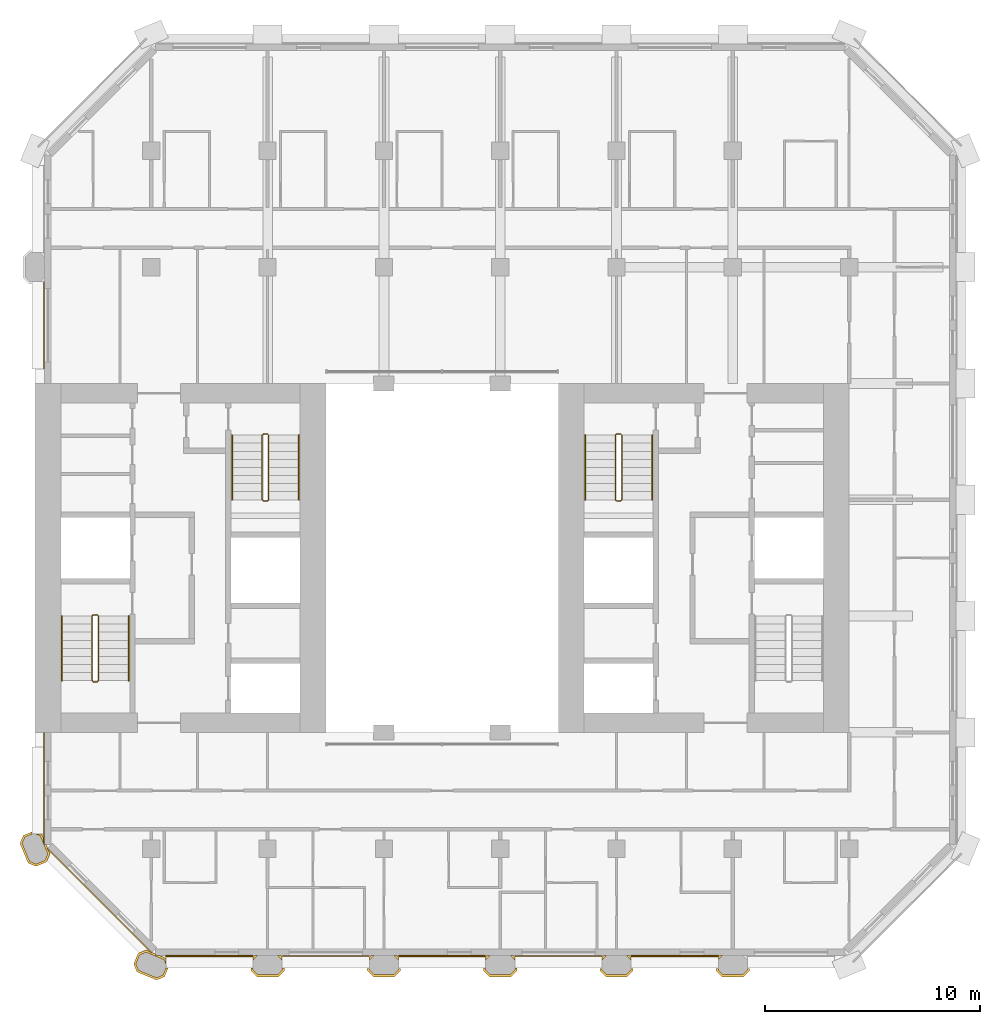
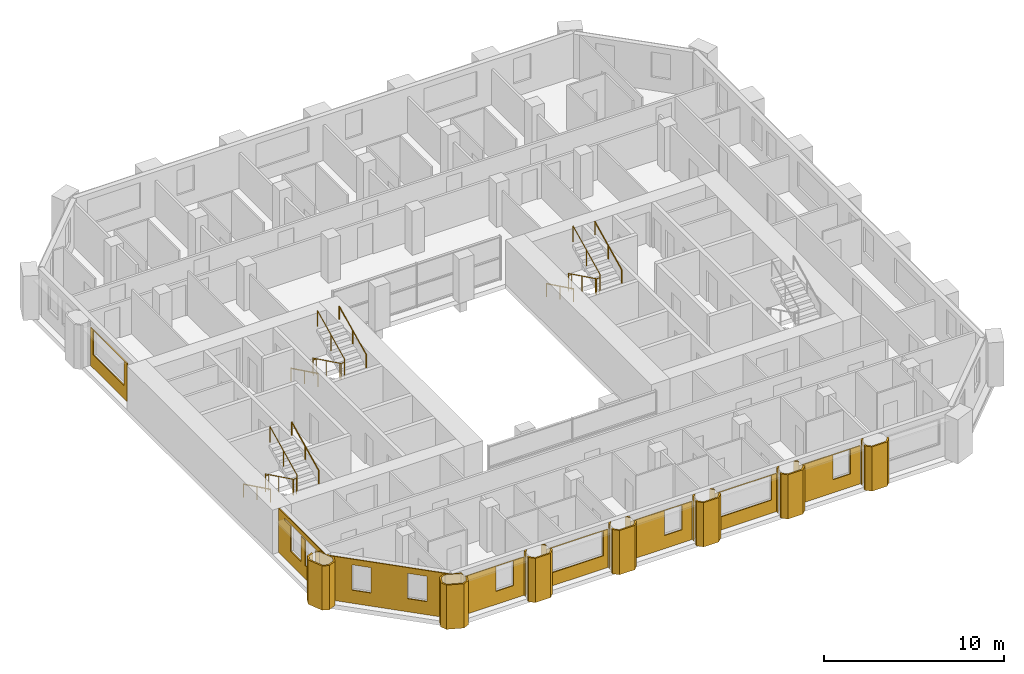
# One storey, part 10 of 12: 24 coverings, 9 railings.
"""IFC4 building model written with IfcOpenShell, lengths in metres."""

import ifcopenshell
import ifcopenshell.guid

model = None  # the IFC model being written
_history = None  # IfcOwnerHistory: only IFC2X3 demands one
_inside = {}  # id of a spatial element -> (the spatial element, [elements in it])
_under = {}  # id of a project, library or spatial element -> (it, [spatial elements below it])
_declared = {}  # id of a project -> (the project, [libraries it declares])
_typed = {}  # id of a type object -> (the type object, [elements of that type])
_made_of = {}  # id of a material, layer set ... -> (it, [elements and type objects made of it])


def new_model(schema):
    """Start an empty IFC model of exactly this schema.

    Asked for "IFC4X3", IfcOpenShell would pick the latest addendum, in which some entities
    have other attributes; the version numbers below select the first issue.
    IFC2X3 requires an IfcOwnerHistory on every rooted entity: one is made here for all.
    """
    global model, _history
    if schema == "IFC4X3":
        model = ifcopenshell.file(schema_version=(4, 3, 0, 0))
    else:
        model = ifcopenshell.file(schema=schema)
    _inside.clear()
    _under.clear()
    _declared.clear()
    _typed.clear()
    _made_of.clear()
    _history = None
    if model.schema == "IFC2X3":
        org = make("IfcOrganization", Name="unknown")
        user = make(
            "IfcPersonAndOrganization",
            ThePerson=make("IfcPerson", FamilyName="unknown"),
            TheOrganization=org,
        )
        app = make(
            "IfcApplication",
            ApplicationDeveloper=org,
            Version="unknown",
            ApplicationFullName="unknown",
            ApplicationIdentifier="unknown",
        )
        _history = make(
            "IfcOwnerHistory",
            OwningUser=user,
            OwningApplication=app,
            ChangeAction="ADDED",
            CreationDate=0,
        )
    return model


def make(cls, **values):
    """One entity of the class cls with the attributes given. An attribute that is None is left unset."""
    return model.create_entity(
        cls, **{name: value for name, value in values.items() if value is not None}
    )


def rooted(cls, **values):
    """An entity with a GlobalId (a new one), such as an element, a storey or a relation."""
    return make(cls, GlobalId=ifcopenshell.guid.new(), OwnerHistory=_history, **values)


def si_unit(unit_type, name, prefix=None):
    """IfcSIUnit, for example si_unit("LENGTHUNIT", "METRE", prefix="MILLI")."""
    return make("IfcSIUnit", UnitType=unit_type, Prefix=prefix, Name=name)


def assignment(units):
    """IfcUnitAssignment: the units of a project."""
    return None if units is None else make("IfcUnitAssignment", Units=units)


def point(xyz):
    """IfcCartesianPoint."""
    return None if xyz is None else make("IfcCartesianPoint", Coordinates=xyz)


def direction(xyz):
    """IfcDirection."""
    return None if xyz is None else make("IfcDirection", DirectionRatios=xyz)


def frame(location, z_axis=None, x_axis=None):
    """IfcAxis2Placement3D, a coordinate frame: its origin and axes. An axis left out is left unset."""
    return make(
        "IfcAxis2Placement3D",
        Location=point(location),
        Axis=direction(z_axis),
        RefDirection=direction(x_axis),
    )


def frame_2d(location, x_axis=None):
    """IfcAxis2Placement2D, a coordinate frame in the plane: its origin and x axis."""
    return make(
        "IfcAxis2Placement2D", Location=point(location), RefDirection=direction(x_axis)
    )


def origin():
    """The frame at (0, 0, 0) with its axes left unset."""
    return frame((0.0, 0.0, 0.0))


def origin_2d():
    """The frame at (0, 0) in the plane with its x axis left unset."""
    return frame_2d((0.0, 0.0))


def place(relative_to, where):
    """IfcLocalPlacement: puts the frame where relative to a parent placement (None: the world)."""
    return make(
        "IfcLocalPlacement", PlacementRelTo=relative_to, RelativePlacement=where
    )


def context(
    kind, dimensions, precision=None, world=None, true_north=None, identifier=None
):
    """IfcGeometricRepresentationContext, for example the 3D "Model" context."""
    return make(
        "IfcGeometricRepresentationContext",
        ContextIdentifier=identifier,
        ContextType=kind,
        CoordinateSpaceDimension=dimensions,
        Precision=precision,
        WorldCoordinateSystem=world,
        TrueNorth=true_north,
    )


def subcontext(parent, identifier, kind, view, scale=None):
    """IfcGeometricRepresentationSubContext, for example "Body" below "Model"."""
    return make(
        "IfcGeometricRepresentationSubContext",
        ContextIdentifier=identifier,
        ContextType=kind,
        ParentContext=parent,
        TargetScale=scale,
        TargetView=view,
    )


def project(units=None, contexts=None):
    """IfcProject with its units and contexts."""
    return rooted(
        "IfcProject",
        Name="project",
        RepresentationContexts=contexts,
        UnitsInContext=assignment(units),
    )


def spatial(cls, under=None, at=None, **own):
    """A site, building, storey or space (cls), placed at a placement, below another one or the project."""
    s = rooted(cls, ObjectPlacement=at, **own)
    if under is not None:
        _under.setdefault(under.id(), (under, []))[1].append(s)
    return s


def polyline(points):
    """IfcPolyline through the points."""
    return make("IfcPolyline", Points=[point(p) for p in points])


def profile(cls, at=None, kind="AREA", **sizes):
    """A parametric profile (cls). Its sizes go by their IFC names, for example OverallWidth=200.0."""
    return make(cls, ProfileType=kind, Position=at, **sizes)


def circle(**sizes):
    """IfcCircleProfileDef."""
    return profile("IfcCircleProfileDef", **sizes)


def outline(outer, holes=None, kind="AREA"):
    """IfcArbitraryClosedProfileDef: a profile drawn as a closed curve; with holes, ...WithVoids."""
    if holes is None:
        return make("IfcArbitraryClosedProfileDef", ProfileType=kind, OuterCurve=outer)
    return make(
        "IfcArbitraryProfileDefWithVoids",
        ProfileType=kind,
        OuterCurve=outer,
        InnerCurves=holes,
    )


def extrude(swept, where, along, depth):
    """IfcExtrudedAreaSolid: the profile swept, set in the frame where, extruded along a direction by depth."""
    return make(
        "IfcExtrudedAreaSolid",
        SweptArea=swept,
        Position=where,
        ExtrudedDirection=direction(along),
        Depth=depth,
    )


def shape(context_of_items, identifier, shape_type, items):
    """IfcShapeRepresentation: the items that make up one representation, for example the "Body"."""
    return make(
        "IfcShapeRepresentation",
        ContextOfItems=context_of_items,
        RepresentationIdentifier=identifier,
        RepresentationType=shape_type,
        Items=items,
    )


def material(Name=None, Category=None):
    """IfcMaterial."""
    return make("IfcMaterial", Name=Name, Category=Category)


def layer(
    of_material, thickness, ventilated=None, Name=None, Category=None, Priority=None
):
    """IfcMaterialLayer: one layer of a wall or slab, of a material (None: an air gap)."""
    return make(
        "IfcMaterialLayer",
        Material=of_material,
        LayerThickness=thickness,
        IsVentilated=ventilated,
        Name=Name,
        Category=Category,
        Priority=Priority,
    )


def layer_set(layers, Name=None):
    """IfcMaterialLayerSet."""
    return make("IfcMaterialLayerSet", MaterialLayers=layers, LayerSetName=Name)


def made_of(thing, what):
    """Note that an element or type object is made of a material, layer set ...; save() writes the relation."""
    if what is not None:
        _made_of.setdefault(what.id(), (what, []))[1].append(thing)
    return thing


def type_object(cls, material=None, **own):
    """A type object (cls), such as IfcWallType, which elements share."""
    return made_of(rooted(cls, **own), material)


def element(
    cls,
    number,
    at=None,
    inside=None,
    cuts=None,
    type_object=None,
    material=None,
    context=None,
    identifier="Body",
    shape_type=None,
    held_by="IfcProductDefinitionShape",
    body=None,
    shapes=None,
    **own,
):
    """One element of the class cls, such as IfcWall. Its Tag is "e" and its number.

    at: its placement. inside: the storey or other place that contains it. cuts: it is an
    opening in that element (IfcRelVoidsElement). A single representation is given by context,
    identifier, shape_type and body (its items); several are given by shapes. held_by: the class
    of the entity that holds the representations. save() writes the other relations.
    """
    e = rooted(cls, Tag="e%d" % number, ObjectPlacement=at, **own)
    if body is not None:
        shapes = [shape(context, identifier, shape_type, body)]
    if shapes is not None:
        e.Representation = make(held_by, Representations=shapes)
    if inside is not None:
        _inside.setdefault(inside.id(), (inside, []))[1].append(e)
    if cuts is not None:
        rooted(
            "IfcRelVoidsElement", RelatingBuildingElement=cuts, RelatedOpeningElement=e
        )
    if type_object is not None:
        _typed.setdefault(type_object.id(), (type_object, []))[1].append(e)
    return made_of(e, material)


def aggregate(whole, parts):
    """IfcRelAggregates: a whole, such as a stair, and the parts it consists of."""
    return rooted("IfcRelAggregates", RelatingObject=whole, RelatedObjects=parts)


def save(model, path):
    """Write the relations noted so far, then the file.

    IfcRelAggregates (storeys below a building ...), IfcRelContainedInSpatialStructure (elements
    in a storey), IfcRelDefinesByType, IfcRelAssociatesMaterial and IfcRelDeclares: one each for
    every whole, place, type object, material and project.
    """
    for whole, parts in _under.values():
        aggregate(whole, parts)
    for where, things in _inside.values():
        rooted(
            "IfcRelContainedInSpatialStructure",
            RelatedElements=things,
            RelatingStructure=where,
        )
    for kind, things in _typed.values():
        rooted("IfcRelDefinesByType", RelatedObjects=things, RelatingType=kind)
    for what, things in _made_of.values():
        rooted("IfcRelAssociatesMaterial", RelatedObjects=things, RelatingMaterial=what)
    for by, libraries in _declared.values():
        rooted("IfcRelDeclares", RelatingContext=by, RelatedDefinitions=libraries)
    model.write(path)


model = new_model("IFC4")

# Units and contexts
model_context = context("Model", 3, precision=1e-05, world=origin(), true_north=direction((0.0, 1.0)))
body_context = subcontext(model_context, "Body", "Model", "MODEL_VIEW")
ifc_project = project(units=[si_unit("LENGTHUNIT", "METRE"), si_unit("AREAUNIT", "SQUARE_METRE"), si_unit("VOLUMEUNIT", "CUBIC_METRE"), si_unit("PLANEANGLEUNIT", "RADIAN"), si_unit("MASSUNIT", "GRAM", prefix="KILO")], contexts=[model_context])

# Site, building, storey
site_placement = place(None, origin())
site = spatial("IfcSite", under=ifc_project, at=site_placement, CompositionType="ELEMENT")
building_placement = place(site_placement, origin())
building = spatial("IfcBuilding", under=site, at=building_placement, Name="Tabaq Tower and Sports Hall", CompositionType="ELEMENT")
storey_placement = place(building_placement, frame((0.0, 0.0, 184.0)))
storey = spatial("IfcBuildingStorey", under=building, at=storey_placement, Name="L44", CompositionType="ELEMENT", Elevation=184.0)

# Coverings
ifc_material_1 = material(Name="Precast concrete C60/75", Category="concrete")
ifc_layer_1 = layer(ifc_material_1, 0.10009765625)
ifc_layer_set_1 = layer_set([ifc_layer_1], Name="Column cladding 100")
covering_type_1 = type_object("IfcCoveringType", Name="Column cladding 100", PredefinedType="CLADDING", material=ifc_layer_set_1)
covering_1_placement = place(storey_placement, origin())
element("IfcCovering", 1, at=covering_1_placement, inside=storey, type_object=covering_type_1, Name="Column cladding L44 PC-2C-H2", PredefinedType="CLADDING", context=body_context, shape_type="SweptSolid", body=[
    extrude(outline(polyline([(5.450439453125, 9.982421875), (5.080078125, 10.1357421875), (4.7041015625, 11.04345703125), (4.857421875, 11.413818359375), (5.249755859375, 11.576171875), (5.249755859375, 11.474609375), (5.26416015625, 11.474609375), (4.93359375, 11.337646484375), (4.811767578125, 11.04345703125), (5.15625, 10.2119140625), (5.450439453125, 10.08984375), (5.866455078125, 10.26220703125), (5.98828125, 10.556396484375), (5.643798828125, 11.38818359375), (5.434814453125, 11.474609375), (5.694580078125, 11.474609375), (5.7197265625, 11.46435546875), (5.789794921875, 11.295654296875), (5.789794921875, 11.04296875), (5.849609375, 11.04296875), (5.849609375, 10.986083984375), (5.91796875, 10.986083984375), (5.9814453125, 10.83251953125), (5.9501953125, 10.801025390625), (6.026123046875, 10.72509765625), (6.095947265625, 10.556396484375), (5.9423828125, 10.186279296875), (5.450439453125, 9.982421875)])), origin(), (0.0, 0.0, 1.0), 3.0),
])
covering_2_placement = place(storey_placement, origin())
element("IfcCovering", 2, at=covering_2_placement, inside=storey, type_object=covering_type_1, Name="Column cladding L44 PC-3B-H2", PredefinedType="CLADDING", context=body_context, shape_type="SweptSolid", body=[
    extrude(outline(polyline([(11.413818359375, 4.857421875), (11.04345703125, 4.7041015625), (10.1357421875, 5.080078125), (9.982421875, 5.450439453125), (10.186279296875, 5.9423828125), (10.556396484375, 6.095947265625), (10.72509765625, 6.026123046875), (10.801025390625, 5.9501953125), (10.83251953125, 5.9814453125), (10.986083984375, 5.91796875), (10.986083984375, 5.849609375), (11.15087890625, 5.849609375), (11.46435546875, 5.7197265625), (11.474609375, 5.694580078125), (11.474609375, 5.434814453125), (11.38818359375, 5.643798828125), (10.556396484375, 5.98828125), (10.26220703125, 5.866455078125), (10.08984375, 5.450439453125), (10.2119140625, 5.15625), (11.04345703125, 4.811767578125), (11.337646484375, 4.93359375), (11.474609375, 5.26416015625), (11.474609375, 5.249755859375), (11.576171875, 5.249755859375), (11.413818359375, 4.857421875)])), origin(), (0.0, 0.0, 1.0), 3.0),
])
covering_3_placement = place(storey_placement, origin())
element("IfcCovering", 3, at=covering_3_placement, inside=storey, type_object=covering_type_1, Name="Column cladding L44 PC-4B-H2", PredefinedType="CLADDING", context=body_context, shape_type="SweptSolid", body=[
    extrude(outline(polyline([(15.42529296875, 5.249755859375), (15.524658203125, 5.249755859375), (15.524658203125, 5.1748046875), (15.749755859375, 4.94970703125), (16.650146484375, 4.94970703125), (16.875244140625, 5.1748046875), (16.875244140625, 5.249755859375), (16.974609375, 5.249755859375), (16.974609375, 5.1337890625), (16.69140625, 4.850341796875), (15.708740234375, 4.850341796875), (15.42529296875, 5.1337890625), (15.42529296875, 5.249755859375)])), origin(), (0.0, 0.0, 1.0), 3.0),
])
covering_4_placement = place(storey_placement, origin())
element("IfcCovering", 4, at=covering_4_placement, inside=storey, type_object=covering_type_1, Name="Column cladding L44 PC-4B-H2 2", PredefinedType="CLADDING", context=body_context, shape_type="SweptSolid", body=[
    extrude(outline(polyline([(16.874755859375, 5.766357421875), (16.874755859375, 5.625732421875), (16.650634765625, 5.849609375), (16.791259765625, 5.849609375), (16.874755859375, 5.766357421875)])), origin(), (0.0, 0.0, 1.0), 3.0),
])
covering_5_placement = place(storey_placement, origin())
element("IfcCovering", 5, at=covering_5_placement, inside=storey, type_object=covering_type_1, Name="Column cladding L44 PC-4B-H2 3", PredefinedType="CLADDING", context=body_context, shape_type="SweptSolid", body=[
    extrude(outline(polyline([(15.608642578125, 5.849609375), (15.749267578125, 5.849609375), (15.525390625, 5.625732421875), (15.525390625, 5.766357421875), (15.608642578125, 5.849609375)])), origin(), (0.0, 0.0, 1.0), 3.0),
])
covering_6_placement = place(storey_placement, origin())
element("IfcCovering", 6, at=covering_6_placement, inside=storey, type_object=covering_type_1, Name="Column cladding L44 PC-5B-H2", PredefinedType="CLADDING", context=body_context, shape_type="SweptSolid", body=[
    extrude(outline(polyline([(20.82568359375, 5.24951171875), (20.92431640625, 5.24951171875), (20.92431640625, 5.1748046875), (21.149658203125, 4.949462890625), (22.05029296875, 4.949462890625), (22.275634765625, 5.1748046875), (22.275634765625, 5.24951171875), (22.37451171875, 5.24951171875), (22.37451171875, 5.1337890625), (22.091064453125, 4.8505859375), (21.10888671875, 4.8505859375), (20.82568359375, 5.1337890625), (20.82568359375, 5.24951171875)])), origin(), (0.0, 0.0, 1.0), 3.0),
])
covering_7_placement = place(storey_placement, origin())
element("IfcCovering", 7, at=covering_7_placement, inside=storey, type_object=covering_type_1, Name="Column cladding L44 PC-5B-H2 2", PredefinedType="CLADDING", context=body_context, shape_type="SweptSolid", body=[
    extrude(outline(polyline([(22.274658203125, 5.766357421875), (22.274658203125, 5.625732421875), (22.05078125, 5.849609375), (22.19140625, 5.849609375), (22.274658203125, 5.766357421875)])), origin(), (0.0, 0.0, 1.0), 3.0),
])
covering_8_placement = place(storey_placement, origin())
element("IfcCovering", 8, at=covering_8_placement, inside=storey, type_object=covering_type_1, Name="Column cladding L44 PC-5B-H2 3", PredefinedType="CLADDING", context=body_context, shape_type="SweptSolid", body=[
    extrude(outline(polyline([(20.925537109375, 5.62646484375), (20.925537109375, 5.76611328125), (21.0087890625, 5.849365234375), (21.1484375, 5.849365234375), (20.925537109375, 5.62646484375)])), origin(), (0.0, 0.0, 1.0), 3.0),
])
covering_9_placement = place(storey_placement, origin())
element("IfcCovering", 9, at=covering_9_placement, inside=storey, type_object=covering_type_1, Name="Column cladding L44 PC-6B-H2", PredefinedType="CLADDING", context=body_context, shape_type="SweptSolid", body=[
    extrude(outline(polyline([(26.225341796875, 5.249755859375), (26.32470703125, 5.249755859375), (26.32470703125, 5.1748046875), (26.5498046875, 4.94970703125), (27.4501953125, 4.94970703125), (27.67529296875, 5.1748046875), (27.67529296875, 5.249755859375), (27.774658203125, 5.249755859375), (27.774658203125, 5.1337890625), (27.4912109375, 4.850341796875), (26.5087890625, 4.850341796875), (26.225341796875, 5.1337890625), (26.225341796875, 5.249755859375)])), origin(), (0.0, 0.0, 1.0), 3.0),
])
covering_10_placement = place(storey_placement, origin())
element("IfcCovering", 10, at=covering_10_placement, inside=storey, type_object=covering_type_1, Name="Column cladding L44 PC-6B-H2 2", PredefinedType="CLADDING", context=body_context, shape_type="SweptSolid", body=[
    extrude(outline(polyline([(26.40869140625, 5.849609375), (26.54931640625, 5.849609375), (26.3251953125, 5.625732421875), (26.3251953125, 5.766357421875), (26.40869140625, 5.849609375)])), origin(), (0.0, 0.0, 1.0), 3.0),
])
covering_11_placement = place(storey_placement, origin())
element("IfcCovering", 11, at=covering_11_placement, inside=storey, type_object=covering_type_1, Name="Column cladding L44 PC-6B-H2 3", PredefinedType="CLADDING", context=body_context, shape_type="SweptSolid", body=[
    extrude(outline(polyline([(27.6748046875, 5.766357421875), (27.6748046875, 5.625732421875), (27.45068359375, 5.849609375), (27.59130859375, 5.849609375), (27.6748046875, 5.766357421875)])), origin(), (0.0, 0.0, 1.0), 3.0),
])
covering_12_placement = place(storey_placement, origin())
element("IfcCovering", 12, at=covering_12_placement, inside=storey, type_object=covering_type_1, Name="Column cladding L44 PC-7B-H2", PredefinedType="CLADDING", context=body_context, shape_type="SweptSolid", body=[
    extrude(outline(polyline([(31.62548828125, 5.24951171875), (31.724365234375, 5.24951171875), (31.724365234375, 5.1748046875), (31.94970703125, 4.949462890625), (32.850341796875, 4.949462890625), (33.07568359375, 5.1748046875), (33.07568359375, 5.24951171875), (33.17431640625, 5.24951171875), (33.17431640625, 5.1337890625), (32.89111328125, 4.8505859375), (31.908935546875, 4.8505859375), (31.62548828125, 5.1337890625), (31.62548828125, 5.24951171875)])), origin(), (0.0, 0.0, 1.0), 3.0),
])
covering_13_placement = place(storey_placement, origin())
element("IfcCovering", 13, at=covering_13_placement, inside=storey, type_object=covering_type_1, Name="Column cladding L44 PC-7B-H2 2", PredefinedType="CLADDING", context=body_context, shape_type="SweptSolid", body=[
    extrude(outline(polyline([(31.80859375, 5.849609375), (31.94921875, 5.849609375), (31.725341796875, 5.625732421875), (31.725341796875, 5.766357421875), (31.80859375, 5.849609375)])), origin(), (0.0, 0.0, 1.0), 3.0),
])
covering_14_placement = place(storey_placement, origin())
element("IfcCovering", 14, at=covering_14_placement, inside=storey, type_object=covering_type_1, Name="Column cladding L44 PC-7B-H2 3", PredefinedType="CLADDING", context=body_context, shape_type="SweptSolid", body=[
    extrude(outline(polyline([(33.074462890625, 5.62646484375), (32.8515625, 5.849365234375), (32.9912109375, 5.849365234375), (33.074462890625, 5.76611328125), (33.074462890625, 5.62646484375)])), origin(), (0.0, 0.0, 1.0), 3.0),
])
covering_15_placement = place(storey_placement, origin())
element("IfcCovering", 15, at=covering_15_placement, inside=storey, type_object=covering_type_1, Name="Column cladding L44 PC-8B-H2", PredefinedType="CLADDING", context=body_context, shape_type="SweptSolid", body=[
    extrude(outline(polyline([(37.025634765625, 5.24951171875), (37.12451171875, 5.24951171875), (37.12451171875, 5.1748046875), (37.349853515625, 4.949462890625), (38.250244140625, 4.949462890625), (38.4755859375, 5.1748046875), (38.4755859375, 5.24951171875), (38.574462890625, 5.24951171875), (38.574462890625, 5.1337890625), (38.291259765625, 4.8505859375), (37.308837890625, 4.8505859375), (37.025634765625, 5.1337890625), (37.025634765625, 5.24951171875)])), origin(), (0.0, 0.0, 1.0), 3.0),
])
covering_16_placement = place(storey_placement, origin())
element("IfcCovering", 16, at=covering_16_placement, inside=storey, type_object=covering_type_1, Name="Column cladding L44 PC-8B-H2 2", PredefinedType="CLADDING", context=body_context, shape_type="SweptSolid", body=[
    extrude(outline(polyline([(37.208740234375, 5.849609375), (37.349365234375, 5.849609375), (37.125244140625, 5.625732421875), (37.125244140625, 5.766357421875), (37.208740234375, 5.849609375)])), origin(), (0.0, 0.0, 1.0), 3.0),
])

# Railings
ifc_material_2 = material(Name="Stainless steel", Category="steel")
railing_type_1 = type_object("IfcRailingType", Name="Stair guard", PredefinedType="GUARDRAIL", material=ifc_material_2)
railing_1_placement = place(storey_placement, frame((8.300048828125, 21.64990234375, 0.0)))
element("IfcRailing", 17, at=railing_1_placement, inside=storey, type_object=railing_type_1, Name="L44 ST1 stair guard 1", PredefinedType="GUARDRAIL", context=body_context, shape_type="SweptSolid", body=[
    extrude(circle(Radius=0.02392578125, at=origin_2d()), frame((0.0, 0.0, 1.076171875), z_axis=(-1.0, 0.0, 0.0), x_axis=(0.0, -1.0, 0.0)), (0.0, 0.0, 1.0), 0.199951171875),
    extrude(circle(Radius=0.02392578125, at=origin_2d()), frame((-0.199951171875, 0.0, 1.076171875), z_axis=(-0.254733673405, -0.25349107012, 0.933195066962), x_axis=(0.705375805398, -0.708833529934, 0.0)), (0.0, 0.0, 1.0), 0.196533203125),
    extrude(circle(Radius=0.02392578125, at=origin_2d()), frame((-0.25, -0.0498046875, 1.25927734375), z_axis=(0.0, -0.898397823093, 0.439182594671), x_axis=(1.0, 0.0, 0.0)), (0.0, 0.0, 1.0), 3.33935546875),
    extrude(circle(Radius=0.02392578125, at=origin_2d()), frame((-0.25, -3.0498046875, 2.72607421875), z_axis=(0.707106781187, -0.707106781187, 0.0), x_axis=(0.707106781187, 0.707106781187, 0.0)), (0.0, 0.0, 1.0), 0.07080078125),
    extrude(circle(Radius=0.02392578125, at=origin_2d()), frame((-0.199951171875, -3.099853515625, 2.72607421875), z_axis=(1.0, 0.0, 0.0), x_axis=(0.0, 1.0, 0.0)), (0.0, 0.0, 1.0), 0.199951171875),
    extrude(circle(Radius=0.02392578125, at=origin_2d()), frame((0.0, -3.099853515625, 2.72607421875), z_axis=(0.254653276557, 0.254653276557, 0.932900539971), x_axis=(-0.707106781187, 0.707106781187, 0.0)), (0.0, 0.0, 1.0), 0.196533203125),
    extrude(circle(Radius=0.02392578125, at=origin_2d()), frame((0.050048828125, -3.0498046875, 2.9091796875), z_axis=(0.0, 0.898368975038, 0.439241601728), x_axis=(-1.0, 0.0, 0.0)), (0.0, 0.0, 1.0), 3.33935546875),
    extrude(circle(Radius=0.02099609375, at=origin_2d()), origin(), (0.0, 0.0, 1.0), 1.052001953125),
    extrude(circle(Radius=0.02099609375, at=origin_2d()), frame((-0.199951171875, 0.0, 0.0)), (0.0, 0.0, 1.0), 1.052001953125),
    extrude(circle(Radius=0.02099609375, at=origin_2d()), frame((-0.25, -0.0498046875, 0.183349609375)), (0.0, 0.0, 1.0), 1.052001953125),
    extrude(circle(Radius=0.02099609375, at=origin_2d()), frame((-0.25, -1.5498046875, 0.91650390625)), (0.0, 0.0, 1.0), 1.052001953125),
    extrude(circle(Radius=0.02099609375, at=origin_2d()), frame((-0.25, -3.0498046875, 1.64990234375)), (0.0, 0.0, 1.0), 1.052001953125),
    extrude(circle(Radius=0.02099609375, at=origin_2d()), frame((-0.199951171875, -3.099853515625, 1.64990234375)), (0.0, 0.0, 1.0), 1.052001953125),
    extrude(circle(Radius=0.02099609375, at=origin_2d()), frame((0.0, -3.099853515625, 1.64990234375)), (0.0, 0.0, 1.0), 1.052001953125),
    extrude(circle(Radius=0.02099609375, at=origin_2d()), frame((0.050048828125, -3.0498046875, 1.833251953125)), (0.0, 0.0, 1.0), 1.052001953125),
    extrude(circle(Radius=0.02099609375, at=origin_2d()), frame((0.050048828125, -1.5498046875, 2.566650390625)), (0.0, 0.0, 1.0), 1.052001953125),
    extrude(circle(Radius=0.02099609375, at=origin_2d()), frame((0.050048828125, -0.0498046875, 3.300048828125)), (0.0, 0.0, 1.0), 1.052001953125),
])
railing_2_placement = place(storey_placement, frame((16.199951171875, 30.050048828125, 0.0)))
element("IfcRailing", 18, at=railing_2_placement, inside=storey, type_object=railing_type_1, Name="L44 ST2 stair guard 1", PredefinedType="GUARDRAIL", context=body_context, shape_type="SweptSolid", body=[
    extrude(circle(Radius=0.02392578125, at=origin_2d()), frame((0.0, 0.0, 1.076171875), z_axis=(-1.0, 0.0, 0.0), x_axis=(0.0, -1.0, 0.0)), (0.0, 0.0, 1.0), 0.199951171875),
    extrude(circle(Radius=0.02392578125, at=origin_2d()), frame((-0.199951171875, 0.0, 1.076171875), z_axis=(-0.254653276557, -0.254653276557, 0.932900539971), x_axis=(0.707106781187, -0.707106781187, 0.0)), (0.0, 0.0, 1.0), 0.196533203125),
    extrude(circle(Radius=0.02392578125, at=origin_2d()), frame((-0.25, -0.050048828125, 1.25927734375), z_axis=(0.0, -0.898397823093, 0.439182594671), x_axis=(1.0, 0.0, 0.0)), (0.0, 0.0, 1.0), 3.33935546875),
    extrude(circle(Radius=0.02392578125, at=origin_2d()), frame((-0.25, -3.050048828125, 2.72607421875), z_axis=(0.707106781187, -0.707106781187, 0.0), x_axis=(0.707106781187, 0.707106781187, 0.0)), (0.0, 0.0, 1.0), 0.07080078125),
    extrude(circle(Radius=0.02392578125, at=origin_2d()), frame((-0.199951171875, -3.10009765625, 2.72607421875), z_axis=(1.0, 0.0, 0.0), x_axis=(0.0, 1.0, 0.0)), (0.0, 0.0, 1.0), 0.199951171875),
    extrude(circle(Radius=0.02392578125, at=origin_2d()), frame((0.0, -3.10009765625, 2.72607421875), z_axis=(0.254653276557, 0.254653276557, 0.932900539971), x_axis=(-0.707106781187, 0.707106781187, 0.0)), (0.0, 0.0, 1.0), 0.196533203125),
    extrude(circle(Radius=0.02392578125, at=origin_2d()), frame((0.050048828125, -3.050048828125, 2.9091796875), z_axis=(0.0, 0.898368975038, 0.439241601728), x_axis=(-1.0, 0.0, 0.0)), (0.0, 0.0, 1.0), 3.33935546875),
    extrude(circle(Radius=0.02099609375, at=origin_2d()), origin(), (0.0, 0.0, 1.0), 1.052001953125),
    extrude(circle(Radius=0.02099609375, at=origin_2d()), frame((-0.199951171875, 0.0, 0.0)), (0.0, 0.0, 1.0), 1.052001953125),
    extrude(circle(Radius=0.02099609375, at=origin_2d()), frame((-0.25, -0.050048828125, 0.183349609375)), (0.0, 0.0, 1.0), 1.052001953125),
    extrude(circle(Radius=0.02099609375, at=origin_2d()), frame((-0.25, -1.550048828125, 0.91650390625)), (0.0, 0.0, 1.0), 1.052001953125),
    extrude(circle(Radius=0.02099609375, at=origin_2d()), frame((-0.25, -3.050048828125, 1.64990234375)), (0.0, 0.0, 1.0), 1.052001953125),
    extrude(circle(Radius=0.02099609375, at=origin_2d()), frame((-0.199951171875, -3.10009765625, 1.64990234375)), (0.0, 0.0, 1.0), 1.052001953125),
    extrude(circle(Radius=0.02099609375, at=origin_2d()), frame((0.0, -3.10009765625, 1.64990234375)), (0.0, 0.0, 1.0), 1.052001953125),
    extrude(circle(Radius=0.02099609375, at=origin_2d()), frame((0.050048828125, -3.050048828125, 1.833251953125)), (0.0, 0.0, 1.0), 1.052001953125),
    extrude(circle(Radius=0.02099609375, at=origin_2d()), frame((0.050048828125, -1.550048828125, 2.566650390625)), (0.0, 0.0, 1.0), 1.052001953125),
    extrude(circle(Radius=0.02099609375, at=origin_2d()), frame((0.050048828125, -0.050048828125, 3.300048828125)), (0.0, 0.0, 1.0), 1.052001953125),
])
railing_3_placement = place(storey_placement, frame((32.60009765625, 30.050048828125, 0.0)))
element("IfcRailing", 19, at=railing_3_placement, inside=storey, type_object=railing_type_1, Name="L44 ST4 stair guard 1", PredefinedType="GUARDRAIL", context=body_context, shape_type="SweptSolid", body=[
    extrude(circle(Radius=0.02392578125, at=origin_2d()), frame((0.0, 0.0, 1.076171875), z_axis=(-1.0, 0.0, 0.0), x_axis=(0.0, -1.0, 0.0)), (0.0, 0.0, 1.0), 0.2001953125),
    extrude(circle(Radius=0.02392578125, at=origin_2d()), frame((-0.2001953125, 0.0, 1.076171875), z_axis=(-0.25349107012, -0.254733673405, 0.933195066962), x_axis=(0.708833529934, -0.705375805398, 0.0)), (0.0, 0.0, 1.0), 0.196533203125),
    extrude(circle(Radius=0.02392578125, at=origin_2d()), frame((-0.25, -0.050048828125, 1.25927734375), z_axis=(0.0, -0.898397823093, 0.439182594671), x_axis=(1.0, 0.0, 0.0)), (0.0, 0.0, 1.0), 3.33935546875),
    extrude(circle(Radius=0.02392578125, at=origin_2d()), frame((-0.25, -3.050048828125, 2.72607421875), z_axis=(0.705375805398, -0.708833529934, 0.0), x_axis=(0.708833529934, 0.705375805398, 0.0)), (0.0, 0.0, 1.0), 0.070556640625),
    extrude(circle(Radius=0.02392578125, at=origin_2d()), frame((-0.2001953125, -3.10009765625, 2.72607421875), z_axis=(1.0, 0.0, 0.0), x_axis=(0.0, 1.0, 0.0)), (0.0, 0.0, 1.0), 0.2001953125),
    extrude(circle(Radius=0.02392578125, at=origin_2d()), frame((0.0, -3.10009765625, 2.72607421875), z_axis=(0.25349107012, 0.254733673405, 0.933195066962), x_axis=(-0.708833529934, 0.705375805398, 0.0)), (0.0, 0.0, 1.0), 0.196533203125),
    extrude(circle(Radius=0.02392578125, at=origin_2d()), frame((0.0498046875, -3.050048828125, 2.9091796875), z_axis=(0.0, 0.898368975038, 0.439241601728), x_axis=(-1.0, 0.0, 0.0)), (0.0, 0.0, 1.0), 3.33935546875),
    extrude(circle(Radius=0.02099609375, at=origin_2d()), origin(), (0.0, 0.0, 1.0), 1.052001953125),
    extrude(circle(Radius=0.02099609375, at=origin_2d()), frame((-0.2001953125, 0.0, 0.0)), (0.0, 0.0, 1.0), 1.052001953125),
    extrude(circle(Radius=0.02099609375, at=origin_2d()), frame((-0.25, -0.050048828125, 0.183349609375)), (0.0, 0.0, 1.0), 1.052001953125),
    extrude(circle(Radius=0.02099609375, at=origin_2d()), frame((-0.25, -1.550048828125, 0.91650390625)), (0.0, 0.0, 1.0), 1.052001953125),
    extrude(circle(Radius=0.02099609375, at=origin_2d()), frame((-0.25, -3.050048828125, 1.64990234375)), (0.0, 0.0, 1.0), 1.052001953125),
    extrude(circle(Radius=0.02099609375, at=origin_2d()), frame((-0.2001953125, -3.10009765625, 1.64990234375)), (0.0, 0.0, 1.0), 1.052001953125),
    extrude(circle(Radius=0.02099609375, at=origin_2d()), frame((0.0, -3.10009765625, 1.64990234375)), (0.0, 0.0, 1.0), 1.052001953125),
    extrude(circle(Radius=0.02099609375, at=origin_2d()), frame((0.0498046875, -3.050048828125, 1.833251953125)), (0.0, 0.0, 1.0), 1.052001953125),
    extrude(circle(Radius=0.02099609375, at=origin_2d()), frame((0.0498046875, -1.550048828125, 2.566650390625)), (0.0, 0.0, 1.0), 1.052001953125),
    extrude(circle(Radius=0.02099609375, at=origin_2d()), frame((0.0498046875, -0.050048828125, 3.300048828125)), (0.0, 0.0, 1.0), 1.052001953125),
])
ifc_material_3 = material(Name="Stainless steel", Category="steel")
railing_type_2 = type_object("IfcRailingType", Name="Stair handrail", PredefinedType="HANDRAIL", material=ifc_material_3)
railing_4_placement = place(storey_placement, frame((6.64990234375, 21.60009765625, 0.183349609375)))
element("IfcRailing", 20, at=railing_4_placement, inside=storey, type_object=railing_type_2, Name="L44 ST1 stair handrail 1", PredefinedType="HANDRAIL", context=body_context, shape_type="SweptSolid", body=[
    extrude(circle(Radius=0.02392578125, at=origin_2d()), frame((0.0, 0.0, 0.8759765625), z_axis=(0.0, -0.898397823093, 0.439182594671), x_axis=(1.0, 0.0, 0.0)), (0.0, 0.0, 1.0), 3.33935546875),
    extrude(circle(Radius=0.02099609375, at=origin_2d()), origin(), (0.0, 0.0, 1.0), 0.851806640625),
    extrude(circle(Radius=0.02099609375, at=origin_2d()), frame((0.0, -1.5, 0.7333984375)), (0.0, 0.0, 1.0), 0.851806640625),
    extrude(circle(Radius=0.02099609375, at=origin_2d()), frame((0.0, -3.0, 1.466552734375)), (0.0, 0.0, 1.0), 0.851806640625),
])
railing_5_placement = place(storey_placement, frame((9.75, 18.60009765625, 1.833251953125)))
element("IfcRailing", 21, at=railing_5_placement, inside=storey, type_object=railing_type_2, Name="L44 ST1 stair handrail 2", PredefinedType="HANDRAIL", context=body_context, shape_type="SweptSolid", body=[
    extrude(circle(Radius=0.02392578125, at=origin_2d()), frame((0.0, 0.0, 0.8759765625), z_axis=(0.0, 0.898368975038, 0.439241601728), x_axis=(-1.0, 0.0, 0.0)), (0.0, 0.0, 1.0), 3.33935546875),
    extrude(circle(Radius=0.02099609375, at=origin_2d()), origin(), (0.0, 0.0, 1.0), 0.851806640625),
    extrude(circle(Radius=0.02099609375, at=origin_2d()), frame((0.0, 1.5, 0.7333984375)), (0.0, 0.0, 1.0), 0.851806640625),
    extrude(circle(Radius=0.02099609375, at=origin_2d()), frame((0.0, 3.0, 1.466796875)), (0.0, 0.0, 1.0), 0.851806640625),
])
railing_6_placement = place(storey_placement, frame((14.550048828125, 30.0, 0.183349609375)))
element("IfcRailing", 22, at=railing_6_placement, inside=storey, type_object=railing_type_2, Name="L44 ST2 stair handrail 1", PredefinedType="HANDRAIL", context=body_context, shape_type="SweptSolid", body=[
    extrude(circle(Radius=0.02392578125, at=origin_2d()), frame((0.0, 0.0, 0.8759765625), z_axis=(0.0, -0.898397823093, 0.439182594671), x_axis=(1.0, 0.0, 0.0)), (0.0, 0.0, 1.0), 3.33935546875),
    extrude(circle(Radius=0.02099609375, at=origin_2d()), origin(), (0.0, 0.0, 1.0), 0.851806640625),
    extrude(circle(Radius=0.02099609375, at=origin_2d()), frame((0.0, -1.5, 0.7333984375)), (0.0, 0.0, 1.0), 0.851806640625),
    extrude(circle(Radius=0.02099609375, at=origin_2d()), frame((0.0, -3.0, 1.466552734375)), (0.0, 0.0, 1.0), 0.851806640625),
])
railing_7_placement = place(storey_placement, frame((17.64990234375, 27.0, 1.833251953125)))
element("IfcRailing", 23, at=railing_7_placement, inside=storey, type_object=railing_type_2, Name="L44 ST2 stair handrail 2", PredefinedType="HANDRAIL", context=body_context, shape_type="SweptSolid", body=[
    extrude(circle(Radius=0.02392578125, at=origin_2d()), frame((0.0, 0.0, 0.8759765625), z_axis=(0.0, 0.898368975038, 0.439241601728), x_axis=(-1.0, 0.0, 0.0)), (0.0, 0.0, 1.0), 3.33935546875),
    extrude(circle(Radius=0.02099609375, at=origin_2d()), origin(), (0.0, 0.0, 1.0), 0.851806640625),
    extrude(circle(Radius=0.02099609375, at=origin_2d()), frame((0.0, 1.5, 0.7333984375)), (0.0, 0.0, 1.0), 0.851806640625),
    extrude(circle(Radius=0.02099609375, at=origin_2d()), frame((0.0, 3.0, 1.466796875)), (0.0, 0.0, 1.0), 0.851806640625),
])
railing_8_placement = place(storey_placement, frame((30.949951171875, 30.0, 0.183349609375)))
element("IfcRailing", 24, at=railing_8_placement, inside=storey, type_object=railing_type_2, Name="L44 ST4 stair handrail 1", PredefinedType="HANDRAIL", context=body_context, shape_type="SweptSolid", body=[
    extrude(circle(Radius=0.02392578125, at=origin_2d()), frame((0.0, 0.0, 0.8759765625), z_axis=(0.0, -0.898397823093, 0.439182594671), x_axis=(1.0, 0.0, 0.0)), (0.0, 0.0, 1.0), 3.33935546875),
    extrude(circle(Radius=0.02099609375, at=origin_2d()), origin(), (0.0, 0.0, 1.0), 0.851806640625),
    extrude(circle(Radius=0.02099609375, at=origin_2d()), frame((0.0, -1.5, 0.7333984375)), (0.0, 0.0, 1.0), 0.851806640625),
    extrude(circle(Radius=0.02099609375, at=origin_2d()), frame((0.0, -3.0, 1.466552734375)), (0.0, 0.0, 1.0), 0.851806640625),
])
railing_9_placement = place(storey_placement, frame((34.050048828125, 27.0, 1.833251953125)))
element("IfcRailing", 25, at=railing_9_placement, inside=storey, type_object=railing_type_2, Name="L44 ST4 stair handrail 2", PredefinedType="HANDRAIL", context=body_context, shape_type="SweptSolid", body=[
    extrude(circle(Radius=0.02392578125, at=origin_2d()), frame((0.0, 0.0, 0.8759765625), z_axis=(0.0, 0.898368975038, 0.439241601728), x_axis=(-1.0, 0.0, 0.0)), (0.0, 0.0, 1.0), 3.33935546875),
    extrude(circle(Radius=0.02099609375, at=origin_2d()), origin(), (0.0, 0.0, 1.0), 0.851806640625),
    extrude(circle(Radius=0.02099609375, at=origin_2d()), frame((0.0, 1.5, 0.7333984375)), (0.0, 0.0, 1.0), 0.851806640625),
    extrude(circle(Radius=0.02099609375, at=origin_2d()), frame((0.0, 3.0, 1.466796875)), (0.0, 0.0, 1.0), 0.851806640625),
])

# Coverings
ifc_material_4 = material(Name="Precast concrete C60/75", Category="concrete")
ifc_layer_2 = layer(ifc_material_4, 0.06005859375)
ifc_layer_set_2 = layer_set([ifc_layer_2], Name="White precast cladding panel 60 C60/75")
covering_type_2 = type_object("IfcCoveringType", Name="White precast cladding panel 60 C60/75", PredefinedType="CLADDING", material=ifc_layer_set_2)
covering_17_placement = place(storey_placement, frame((11.465087890625, 5.820068359375, 0.0), z_axis=(0.0, 0.0, 1.0), x_axis=(1.0, 0.0, 0.0)))
element("IfcCovering", 26, at=covering_17_placement, inside=storey, type_object=covering_type_2, Name="White precast cladding panel L44 wall00", PredefinedType="CLADDING", context=body_context, shape_type="SweptSolid", body=[
    extrude(outline(polyline([(0.0, 0.0), (4.0498046875, 0.0), (4.0498046875, 2.590087890625), (0.0, 2.590087890625), (0.0, 0.0)]), holes=[polyline([(3.39501953125, 0.889892578125), (2.27490234375, 0.889892578125), (2.27490234375, 2.56005859375), (3.39501953125, 2.56005859375), (3.39501953125, 0.889892578125)])]), frame((0.0, 0.030029296875, 0.0), z_axis=(0.0, -1.0, 0.0), x_axis=(1.0, 0.0, 0.0)), (0.0, 0.0, 1.0), 0.06005859375),
])
covering_18_placement = place(storey_placement, frame((16.885009765625, 5.820068359375, 0.0), z_axis=(0.0, 0.0, 1.0), x_axis=(1.0, 0.0, 0.0)))
element("IfcCovering", 27, at=covering_18_placement, inside=storey, type_object=covering_type_2, Name="White precast cladding panel L44 wall00 2", PredefinedType="CLADDING", context=body_context, shape_type="SweptSolid", body=[
    extrude(outline(polyline([(0.0, 0.0), (4.030029296875, 0.0), (4.030029296875, 2.590087890625), (0.0, 2.590087890625), (0.0, 0.0)]), holes=[polyline([(3.72509765625, 0.889892578125), (0.304931640625, 0.889892578125), (0.304931640625, 2.56005859375), (3.72509765625, 2.56005859375), (3.72509765625, 0.889892578125)])]), frame((0.0, 0.030029296875, 0.0), z_axis=(0.0, -1.0, 0.0), x_axis=(1.0, 0.0, 0.0)), (0.0, 0.0, 1.0), 0.06005859375),
])
covering_19_placement = place(storey_placement, frame((22.284912109375, 5.820068359375, 0.0), z_axis=(0.0, 0.0, 1.0), x_axis=(1.0, 0.0, 0.0)))
element("IfcCovering", 28, at=covering_19_placement, inside=storey, type_object=covering_type_2, Name="White precast cladding panel L44 wall00 3", PredefinedType="CLADDING", context=body_context, shape_type="SweptSolid", body=[
    extrude(outline(polyline([(0.0, 0.0), (4.030029296875, 0.0), (4.030029296875, 2.590087890625), (0.0, 2.590087890625), (0.0, 0.0)]), holes=[polyline([(3.375, 0.889892578125), (2.2548828125, 0.889892578125), (2.2548828125, 2.56005859375), (3.375, 2.56005859375), (3.375, 0.889892578125)])]), frame((0.0, 0.030029296875, 0.0), z_axis=(0.0, -1.0, 0.0), x_axis=(1.0, 0.0, 0.0)), (0.0, 0.0, 1.0), 0.06005859375),
])
covering_20_placement = place(storey_placement, frame((27.68505859375, 5.820068359375, 0.0), z_axis=(0.0, 0.0, 1.0), x_axis=(1.0, 0.0, 0.0)))
element("IfcCovering", 29, at=covering_20_placement, inside=storey, type_object=covering_type_2, Name="White precast cladding panel L44 wall00 4", PredefinedType="CLADDING", context=body_context, shape_type="SweptSolid", body=[
    extrude(outline(polyline([(0.0, 0.0), (4.030029296875, 0.0), (4.030029296875, 2.590087890625), (0.0, 2.590087890625), (0.0, 0.0)]), holes=[polyline([(3.72509765625, 0.889892578125), (0.304931640625, 0.889892578125), (0.304931640625, 2.56005859375), (3.72509765625, 2.56005859375), (3.72509765625, 0.889892578125)])]), frame((0.0, 0.030029296875, 0.0), z_axis=(0.0, -1.0, 0.0), x_axis=(1.0, 0.0, 0.0)), (0.0, 0.0, 1.0), 0.06005859375),
])
covering_21_placement = place(storey_placement, frame((33.0849609375, 5.820068359375, 0.0), z_axis=(0.0, 0.0, 1.0), x_axis=(1.0, 0.0, 0.0)))
element("IfcCovering", 30, at=covering_21_placement, inside=storey, type_object=covering_type_2, Name="White precast cladding panel L44 wall00 5", PredefinedType="CLADDING", context=body_context, shape_type="SweptSolid", body=[
    extrude(outline(polyline([(0.0, 0.0), (4.030029296875, 0.0), (4.030029296875, 2.590087890625), (0.0, 2.590087890625), (0.0, 0.0)]), holes=[polyline([(3.375, 0.889892578125), (2.2548828125, 0.889892578125), (2.2548828125, 2.56005859375), (3.375, 2.56005859375), (3.375, 0.889892578125)])]), frame((0.0, 0.030029296875, 0.0), z_axis=(0.0, -1.0, 0.0), x_axis=(1.0, 0.0, 0.0)), (0.0, 0.0, 1.0), 0.06005859375),
])
covering_22_placement = place(storey_placement, frame((5.820068359375, 37.114990234375, 0.0), z_axis=(0.0, 0.0, 1.0), x_axis=(0.0, -1.0, 0.0)))
element("IfcCovering", 31, at=covering_22_placement, inside=storey, type_object=covering_type_2, Name="White precast cladding panel L44 wall06 2", PredefinedType="CLADDING", context=body_context, shape_type="SweptSolid", body=[
    extrude(outline(polyline([(0.0, 0.0), (4.050048828125, 0.0), (4.050048828125, 2.590087890625), (0.0, 2.590087890625), (0.0, 0.0)]), holes=[polyline([(3.72509765625, 0.889892578125), (0.304931640625, 0.889892578125), (0.304931640625, 2.56005859375), (3.72509765625, 2.56005859375), (3.72509765625, 0.889892578125)])]), frame((0.0, 0.030029296875, 0.0), z_axis=(0.0, -1.0, 0.0), x_axis=(1.0, 0.0, 0.0)), (0.0, 0.0, 1.0), 0.06005859375),
])
covering_23_placement = place(storey_placement, frame((5.820068359375, 16.199951171875, 0.0), z_axis=(0.0, 0.0, 1.0), x_axis=(0.0, -1.0, 0.0)))
element("IfcCovering", 32, at=covering_23_placement, inside=storey, type_object=covering_type_2, Name="White precast cladding panel L44 wall06-1", PredefinedType="CLADDING", context=body_context, shape_type="SweptSolid", body=[
    extrude(outline(polyline([(0.0, 0.0), (5.15673828125, 0.0), (5.15673828125, 3.0), (0.0, 3.0), (0.0, 0.0)]), holes=[polyline([(1.340087890625, 2.590087890625), (0.6650390625, 2.590087890625), (0.6650390625, 2.7099609375), (4.735107421875, 2.7099609375), (4.735107421875, 2.590087890625), (4.06005859375, 2.590087890625), (4.06005859375, 0.889892578125), (2.93994140625, 0.889892578125), (2.93994140625, 2.590087890625), (2.4599609375, 2.590087890625), (2.4599609375, 0.889892578125), (1.340087890625, 0.889892578125), (1.340087890625, 2.590087890625)])]), frame((0.0, 0.030029296875, 0.0), z_axis=(0.0, -1.0, 0.0), x_axis=(1.0, 0.0, 0.0)), (0.0, 0.0, 1.0), 0.06005859375),
])
covering_24_placement = place(storey_placement, frame((5.9716796875, 10.822265625, 0.0), z_axis=(0.0, 0.0, 1.0), x_axis=(0.707106781187, -0.707106781187, 0.0)))
element("IfcCovering", 33, at=covering_24_placement, inside=storey, type_object=covering_type_2, Name="White precast cladding panel L44 wall07", PredefinedType="CLADDING", context=body_context, shape_type="SweptSolid", body=[
    extrude(outline(polyline([(0.0, 0.0), (6.85986328125, 0.0), (6.85986328125, 3.0), (0.0, 3.0), (0.0, 0.0)]), holes=[polyline([(1.269775390625, 2.610107421875), (2.389892578125, 2.610107421875), (2.389892578125, 0.889892578125), (1.269775390625, 0.889892578125), (1.269775390625, 2.610107421875)]), polyline([(4.4697265625, 2.610107421875), (5.58984375, 2.610107421875), (5.58984375, 0.889892578125), (4.4697265625, 0.889892578125), (4.4697265625, 2.610107421875)])]), frame((0.0, 0.030029296875, 0.0), z_axis=(0.0, -1.0, 0.0), x_axis=(1.0, 0.0, 0.0)), (0.0, 0.0, 1.0), 0.06005859375),
])

save(model, "model.ifc")
